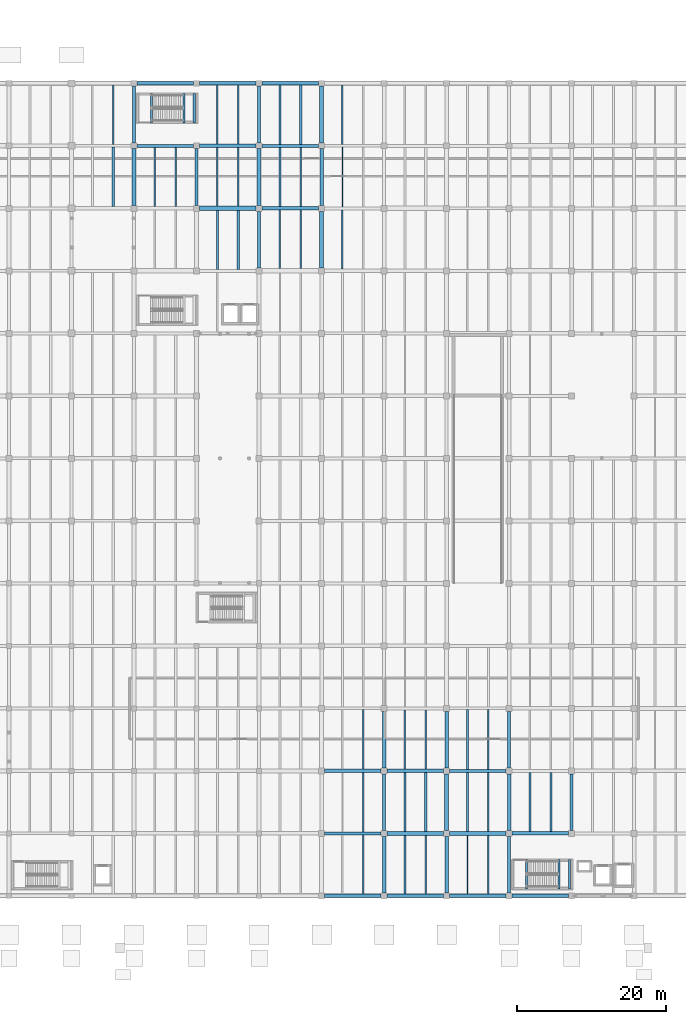
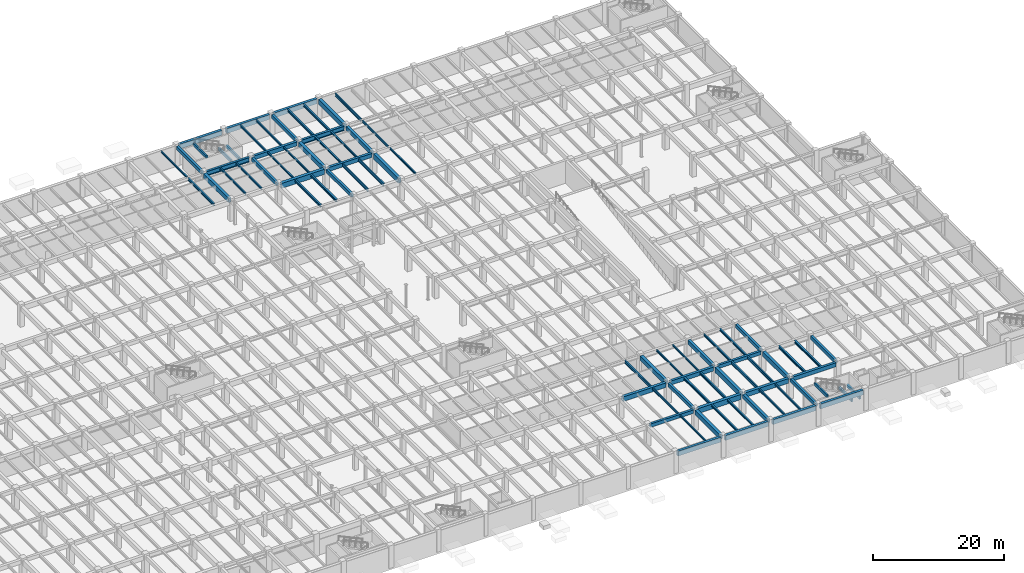
# One storey, part 22 of 63: 80 beams.
"""IFC4 building model written with IfcOpenShell, lengths in metres."""

from ifc_helpers import new_model, si_unit, direction, frame, origin, origin_2d, place, context, subcontext, project, spatial, rectangle, i_section, extrude, material, material_profile, profile_set, type_object, element, save


model = new_model("IFC4")

# Units and contexts
model_context = context("Model", 3, precision=1e-05, world=origin(), true_north=direction((0.0, 1.0)))
body_context = subcontext(model_context, "Body", "Model", "MODEL_VIEW")
ifc_project = project(units=[si_unit("LENGTHUNIT", "METRE"), si_unit("AREAUNIT", "SQUARE_METRE"), si_unit("VOLUMEUNIT", "CUBIC_METRE"), si_unit("PLANEANGLEUNIT", "RADIAN"), si_unit("MASSUNIT", "GRAM", prefix="KILO")], contexts=[model_context])

# Site, building, storey
site_placement = place(None, origin())
site = spatial("IfcSite", under=ifc_project, at=site_placement, CompositionType="ELEMENT")
building_placement = place(site_placement, origin())
building = spatial("IfcBuilding", under=site, at=building_placement, Name="Cumbredor Promenade Congress Hotel", CompositionType="ELEMENT")
storey_placement = place(building_placement, frame((0.0, 0.0, -4.199951171875)))
storey = spatial("IfcBuildingStorey", under=building, at=storey_placement, Name="B01", CompositionType="ELEMENT", Elevation=-4.199951171875)

# Beams
ifc_material_1 = material(Name="Concrete C40/50", Category="concrete")
ifc_material_profile_1 = material_profile(ifc_material_1, rectangle(XDim=0.39990234375, YDim=0.64990234375, at=origin_2d()), Name="RC BEAM 400x650")
ifc_profile_set_1 = profile_set([ifc_material_profile_1], Name="Concrete C40/50")
beam_type_1 = type_object("IfcBeamType", Name="BM-RC-400x650", PredefinedType="BEAM", material=ifc_profile_set_1)
beam_1_placement = place(storey_placement, frame((92.39990234375, 109.60009765625, 3.52490234375), z_axis=(0.0, 1.0, 0.0), x_axis=(-1.0, 0.0, 0.0)))
element("IfcBeam", 1, at=beam_1_placement, inside=storey, type_object=beam_type_1, Name="L00 Y-Grid Beam 279", PredefinedType="BEAM", context=body_context, shape_type="SweptSolid", body=[
    extrude(rectangle(XDim=0.39990234375, YDim=0.64990234375, at=origin_2d()), origin(), (0.0, 0.0, 1.0), 7.599853515625),
])
beam_2_placement = place(storey_placement, frame((100.800048828125, 101.199951171875, 3.52490234375), z_axis=(0.0, 1.0, 0.0), x_axis=(-1.0, 0.0, 0.0)))
element("IfcBeam", 2, at=beam_2_placement, inside=storey, type_object=beam_type_1, Name="L00 Y-Grid Beam 299", PredefinedType="BEAM", context=body_context, shape_type="SweptSolid", body=[
    extrude(rectangle(XDim=0.39990234375, YDim=0.64990234375, at=origin_2d()), origin(), (0.0, 0.0, 1.0), 7.60009765625),
])
for number, where, z_axis, x_axis, name in (
    (3, (109.199951171875, 92.800048828125, 3.52490234375), (0.0, 1.0, 0.0), (-1.0, 0.0, 0.0), "L00 Y-Grid Beam 323"),
    (4, (109.199951171875, 109.60009765625, 3.52490234375), (0.0, 1.0, 0.0), (-1.0, 0.0, 0.0), "L00 Y-Grid Beam 327"),
):
    element("IfcBeam", number, at=place(storey_placement, frame(where, z_axis=z_axis, x_axis=x_axis)), inside=storey, type_object=beam_type_1, Name=name, PredefinedType="BEAM", context=body_context, shape_type="SweptSolid", body=[
        extrude(rectangle(XDim=0.39990234375, YDim=0.64990234375, at=origin_2d()), origin(), (0.0, 0.0, 1.0), 7.599853515625),
    ])
for number, where, z_axis, x_axis, name in (
    (5, (118.0, 16.800048828125, 3.52490234375), (1.0, 0.0, 0.0), (0.0, 1.0, 0.0), "L00 X-Grid Beam 331"),
    (6, (126.0, 17.199951171875, 3.52490234375), (0.0, 1.0, 0.0), (-1.0, 0.0, 0.0), "L00 Y-Grid Beam 359"),
):
    element("IfcBeam", number, at=place(storey_placement, frame(where, z_axis=z_axis, x_axis=x_axis)), inside=storey, type_object=beam_type_1, Name=name, PredefinedType="BEAM", context=body_context, shape_type="SweptSolid", body=[
        extrude(rectangle(XDim=0.39990234375, YDim=0.64990234375, at=origin_2d()), origin(), (0.0, 0.0, 1.0), 7.60009765625),
    ])
for number, where, z_axis, x_axis, name in (
    (7, (134.800048828125, 25.199951171875, 3.52490234375), (1.0, 0.0, 0.0), (0.0, 1.0, 0.0), "L00 X-Grid Beam 387"),
    (8, (142.800048828125, 8.800048828125, 3.52490234375), (0.0, 1.0, 0.0), (-1.0, 0.0, 0.0), "L00 Y-Grid Beam 407"),
    (9, (142.800048828125, 25.60009765625, 3.52490234375), (0.0, 1.0, 0.0), (-1.0, 0.0, 0.0), "L00 Y-Grid Beam 411"),
):
    element("IfcBeam", number, at=place(storey_placement, frame(where, z_axis=z_axis, x_axis=x_axis)), inside=storey, type_object=beam_type_1, Name=name, PredefinedType="BEAM", context=body_context, shape_type="SweptSolid", body=[
        extrude(rectangle(XDim=0.39990234375, YDim=0.64990234375, at=origin_2d()), origin(), (0.0, 0.0, 1.0), 7.599853515625),
    ])
beam_3_placement = place(storey_placement, frame((151.199951171875, 17.199951171875, 3.52490234375), z_axis=(0.0, 1.0, 0.0), x_axis=(-1.0, 0.0, 0.0)))
element("IfcBeam", 10, at=beam_3_placement, inside=storey, type_object=beam_type_1, Name="L00 Y-Grid Beam 435", PredefinedType="BEAM", context=body_context, shape_type="SweptSolid", body=[
    extrude(rectangle(XDim=0.39990234375, YDim=0.64990234375, at=origin_2d()), origin(), (0.0, 0.0, 1.0), 7.60009765625),
])
ifc_material_profile_2 = material_profile(ifc_material_1, rectangle(XDim=0.449951171875, YDim=0.75, at=origin_2d()), Name="RC BEAM 450x750")
ifc_profile_set_2 = profile_set([ifc_material_profile_2], Name="Concrete C40/50")
beam_type_2 = type_object("IfcBeamType", Name="BM-RC-450x750", PredefinedType="BEAM", material=ifc_profile_set_2)
beam_4_placement = place(storey_placement, frame((101.199951171875, 109.199951171875, 3.474853515625), z_axis=(1.0, 0.0, 0.0), x_axis=(0.0, 1.0, 0.0)))
element("IfcBeam", 11, at=beam_4_placement, inside=storey, type_object=beam_type_2, Name="L00 X-Grid Beam 300", PredefinedType="BEAM", context=body_context, shape_type="SweptSolid", body=[
    extrude(rectangle(XDim=0.449951171875, YDim=0.75, at=origin_2d()), origin(), (0.0, 0.0, 1.0), 7.60009765625),
])
beam_5_placement = place(storey_placement, frame((109.60009765625, 100.800048828125, 3.474853515625), z_axis=(1.0, 0.0, 0.0), x_axis=(0.0, 1.0, 0.0)))
element("IfcBeam", 12, at=beam_5_placement, inside=storey, type_object=beam_type_2, Name="L00 X-Grid Beam 324", PredefinedType="BEAM", context=body_context, shape_type="SweptSolid", body=[
    extrude(rectangle(XDim=0.449951171875, YDim=0.75, at=origin_2d()), origin(), (0.0, 0.0, 1.0), 7.599853515625),
])
for number, where, z_axis, x_axis, name in (
    (13, (117.60009765625, 101.199951171875, 3.474853515625), (0.0, 1.0, 0.0), (-1.0, 0.0, 0.0), "L00 Y-Grid Beam 352"),
    (14, (126.39990234375, 25.199951171875, 3.474853515625), (1.0, 0.0, 0.0), (0.0, 1.0, 0.0), "L00 X-Grid Beam 360"),
):
    element("IfcBeam", number, at=place(storey_placement, frame(where, z_axis=z_axis, x_axis=x_axis)), inside=storey, type_object=beam_type_2, Name=name, PredefinedType="BEAM", context=body_context, shape_type="SweptSolid", body=[
        extrude(rectangle(XDim=0.449951171875, YDim=0.75, at=origin_2d()), origin(), (0.0, 0.0, 1.0), 7.60009765625),
    ])
for number, where, z_axis, x_axis, name in (
    (15, (134.39990234375, 8.800048828125, 3.474853515625), (0.0, 1.0, 0.0), (-1.0, 0.0, 0.0), "L00 Y-Grid Beam 384"),
    (16, (134.39990234375, 25.60009765625, 3.474853515625), (0.0, 1.0, 0.0), (-1.0, 0.0, 0.0), "L00 Y-Grid Beam 388"),
):
    element("IfcBeam", number, at=place(storey_placement, frame(where, z_axis=z_axis, x_axis=x_axis)), inside=storey, type_object=beam_type_2, Name=name, PredefinedType="BEAM", context=body_context, shape_type="SweptSolid", body=[
        extrude(rectangle(XDim=0.449951171875, YDim=0.75, at=origin_2d()), origin(), (0.0, 0.0, 1.0), 7.599853515625),
    ])
beam_6_placement = place(storey_placement, frame((143.199951171875, 16.800048828125, 3.474853515625), z_axis=(1.0, 0.0, 0.0), x_axis=(0.0, 1.0, 0.0)))
element("IfcBeam", 17, at=beam_6_placement, inside=storey, type_object=beam_type_2, Name="L00 X-Grid Beam 408", PredefinedType="BEAM", context=body_context, shape_type="SweptSolid", body=[
    extrude(rectangle(XDim=0.449951171875, YDim=0.75, at=origin_2d()), origin(), (0.0, 0.0, 1.0), 7.60009765625),
])
ifc_material_profile_3 = material_profile(ifc_material_1, rectangle(XDim=0.5, YDim=0.85009765625, at=origin_2d()), Name="RC BEAM 500x850")
ifc_profile_set_3 = profile_set([ifc_material_profile_3], Name="Concrete C40/50")
beam_type_3 = type_object("IfcBeamType", Name="BM-RC-500x850", PredefinedType="BEAM", material=ifc_profile_set_3)
for number, where, z_axis, x_axis, name in (
    (18, (92.39990234375, 101.199951171875, 3.425048828125), (0.0, 1.0, 0.0), (-1.0, 0.0, 0.0), "L00 Y-Grid Beam 277"),
    (19, (109.199951171875, 101.199951171875, 3.425048828125), (0.0, 1.0, 0.0), (-1.0, 0.0, 0.0), "L00 Y-Grid Beam 325"),
    (20, (118.0, 25.199951171875, 3.425048828125), (1.0, 0.0, 0.0), (0.0, 1.0, 0.0), "L00 X-Grid Beam 333"),
):
    element("IfcBeam", number, at=place(storey_placement, frame(where, z_axis=z_axis, x_axis=x_axis)), inside=storey, type_object=beam_type_3, Name=name, PredefinedType="BEAM", context=body_context, shape_type="SweptSolid", body=[
        extrude(rectangle(XDim=0.5, YDim=0.85009765625, at=origin_2d()), origin(), (0.0, 0.0, 1.0), 7.60009765625),
    ])
for number, where, z_axis, x_axis, name in (
    (21, (126.0, 8.800048828125, 3.425048828125), (0.0, 1.0, 0.0), (-1.0, 0.0, 0.0), "L00 Y-Grid Beam 357"),
    (22, (126.0, 25.60009765625, 3.425048828125), (0.0, 1.0, 0.0), (-1.0, 0.0, 0.0), "L00 Y-Grid Beam 361"),
    (23, (134.800048828125, 16.800048828125, 3.425048828125), (1.0, 0.0, 0.0), (0.0, 1.0, 0.0), "L00 X-Grid Beam 385"),
):
    element("IfcBeam", number, at=place(storey_placement, frame(where, z_axis=z_axis, x_axis=x_axis)), inside=storey, type_object=beam_type_3, Name=name, PredefinedType="BEAM", context=body_context, shape_type="SweptSolid", body=[
        extrude(rectangle(XDim=0.5, YDim=0.85009765625, at=origin_2d()), origin(), (0.0, 0.0, 1.0), 7.599853515625),
    ])
beam_7_placement = place(storey_placement, frame((142.800048828125, 17.199951171875, 3.425048828125), z_axis=(0.0, 1.0, 0.0), x_axis=(-1.0, 0.0, 0.0)))
element("IfcBeam", 24, at=beam_7_placement, inside=storey, type_object=beam_type_3, Name="L00 Y-Grid Beam 409", PredefinedType="BEAM", context=body_context, shape_type="SweptSolid", body=[
    extrude(rectangle(XDim=0.5, YDim=0.85009765625, at=origin_2d()), origin(), (0.0, 0.0, 1.0), 7.60009765625),
])
ifc_material_profile_4 = material_profile(ifc_material_1, rectangle(XDim=0.550048828125, YDim=0.949951171875, at=origin_2d()), Name="RC BEAM 550x950")
ifc_profile_set_4 = profile_set([ifc_material_profile_4], Name="Concrete C40/50")
beam_type_4 = type_object("IfcBeamType", Name="BM-RC-550x950", PredefinedType="BEAM", material=ifc_profile_set_4)
beam_8_placement = place(storey_placement, frame((101.199951171875, 100.800048828125, 3.375), z_axis=(1.0, 0.0, 0.0), x_axis=(0.0, 1.0, 0.0)))
element("IfcBeam", 25, at=beam_8_placement, inside=storey, type_object=beam_type_4, Name="L00 X-Grid Beam 298", PredefinedType="BEAM", context=body_context, shape_type="SweptSolid", body=[
    extrude(rectangle(XDim=0.550048828125, YDim=0.949951171875, at=origin_2d()), origin(), (0.0, 0.0, 1.0), 7.60009765625),
])
for number, where, z_axis, x_axis, name in (
    (26, (117.60009765625, 92.800048828125, 3.375), (0.0, 1.0, 0.0), (-1.0, 0.0, 0.0), "L00 Y-Grid Beam 350"),
    (27, (117.60009765625, 109.60009765625, 3.375), (0.0, 1.0, 0.0), (-1.0, 0.0, 0.0), "L00 Y-Grid Beam 354"),
):
    element("IfcBeam", number, at=place(storey_placement, frame(where, z_axis=z_axis, x_axis=x_axis)), inside=storey, type_object=beam_type_4, Name=name, PredefinedType="BEAM", context=body_context, shape_type="SweptSolid", body=[
        extrude(rectangle(XDim=0.550048828125, YDim=0.949951171875, at=origin_2d()), origin(), (0.0, 0.0, 1.0), 7.599853515625),
    ])
for number, where, z_axis, x_axis, name in (
    (28, (126.39990234375, 16.800048828125, 3.375), (1.0, 0.0, 0.0), (0.0, 1.0, 0.0), "L00 X-Grid Beam 358"),
    (29, (134.39990234375, 17.199951171875, 3.375), (0.0, 1.0, 0.0), (-1.0, 0.0, 0.0), "L00 Y-Grid Beam 386"),
):
    element("IfcBeam", number, at=place(storey_placement, frame(where, z_axis=z_axis, x_axis=x_axis)), inside=storey, type_object=beam_type_4, Name=name, PredefinedType="BEAM", context=body_context, shape_type="SweptSolid", body=[
        extrude(rectangle(XDim=0.550048828125, YDim=0.949951171875, at=origin_2d()), origin(), (0.0, 0.0, 1.0), 7.60009765625),
    ])
ifc_material_2 = material(Name="Steel ASTM A992 Grade 50", Category="steel")
ifc_material_profile_5 = material_profile(ifc_material_2, i_section(OverallWidth=0.39990234375, OverallDepth=0.85498046875, WebThickness=0.018310546875, FlangeThickness=0.029296875, at=origin_2d()), Name="W33X201")
ifc_profile_set_5 = profile_set([ifc_material_profile_5], Name="Steel ASTM A992 Grade 50")
beam_type_5 = type_object("IfcBeamType", Name="BM-W33X201", PredefinedType="BEAM", material=ifc_profile_set_5)
for number, where, z_axis, x_axis, name in (
    (30, (92.800048828125, 109.199951171875, 3.42236328125), (1.0, 0.0, 0.0), (0.0, 1.0, 0.0), "L00 X-Grid Beam 278"),
    (31, (109.60009765625, 109.199951171875, 3.42236328125), (1.0, 0.0, 0.0), (0.0, 1.0, 0.0), "L00 X-Grid Beam 326"),
):
    element("IfcBeam", number, at=place(storey_placement, frame(where, z_axis=z_axis, x_axis=x_axis)), inside=storey, type_object=beam_type_5, Name=name, PredefinedType="BEAM", context=body_context, shape_type="SweptSolid", body=[
        extrude(i_section(OverallWidth=0.39990234375, OverallDepth=0.85498046875, WebThickness=0.018310546875, FlangeThickness=0.029296875, at=origin_2d()), origin(), (0.0, 0.0, 1.0), 7.599853515625),
    ])
ifc_material_profile_6 = material_profile(ifc_material_2, i_section(OverallWidth=0.202880859375, OverallDepth=0.302978515625, WebThickness=0.007568359375, FlangeThickness=0.01318359375, at=origin_2d()), Name="W12X40")
ifc_profile_set_6 = profile_set([ifc_material_profile_6], Name="Steel ASTM A992 Grade 50")
beam_type_6 = type_object("IfcBeamType", Name="JST-W12X40", PredefinedType="JOIST", material=ifc_profile_set_6)
beam_9_placement = place(storey_placement, frame((89.60009765625, 109.362060546875, 3.698486328125), z_axis=(0.0, 1.0, 0.0), x_axis=(-1.0, 0.0, 0.0)))
element("IfcBeam", 32, at=beam_9_placement, inside=storey, type_object=beam_type_6, Name="L00 Secondary Floor Joist 0215", PredefinedType="JOIST", context=body_context, shape_type="SweptSolid", body=[
    extrude(i_section(OverallWidth=0.202880859375, OverallDepth=0.302978515625, WebThickness=0.007568359375, FlangeThickness=0.01318359375, at=origin_2d()), origin(), (0.0, 0.0, 1.0), 8.012939453125),
])
for number, where, z_axis, x_axis, name in (
    (33, (103.60009765625, 101.074951171875, 3.698486328125), (0.0, 1.0, 0.0), (-1.0, 0.0, 0.0), "L00 Secondary Floor Joist 0249"),
    (34, (106.39990234375, 101.074951171875, 3.698486328125), (0.0, 1.0, 0.0), (-1.0, 0.0, 0.0), "L00 Secondary Floor Joist 0250"),
):
    element("IfcBeam", number, at=place(storey_placement, frame(where, z_axis=z_axis, x_axis=x_axis)), inside=storey, type_object=beam_type_6, Name=name, PredefinedType="JOIST", context=body_context, shape_type="SweptSolid", body=[
        extrude(i_section(OverallWidth=0.202880859375, OverallDepth=0.302978515625, WebThickness=0.007568359375, FlangeThickness=0.01318359375, at=origin_2d()), origin(), (0.0, 0.0, 1.0), 7.900146484375),
    ])
beam_10_placement = place(storey_placement, frame((123.199951171875, 8.625, 3.698486328125), z_axis=(0.0, 1.0, 0.0), x_axis=(-1.0, 0.0, 0.0)))
element("IfcBeam", 35, at=beam_10_placement, inside=storey, type_object=beam_type_6, Name="L00 Secondary Floor Joist 0280", PredefinedType="JOIST", context=body_context, shape_type="SweptSolid", body=[
    extrude(i_section(OverallWidth=0.202880859375, OverallDepth=0.302978515625, WebThickness=0.007568359375, FlangeThickness=0.01318359375, at=origin_2d()), origin(), (0.0, 0.0, 1.0), 7.97509765625),
])
beam_11_placement = place(storey_placement, frame((120.39990234375, 92.64990234375, 3.698486328125), z_axis=(0.0, 1.0, 0.0), x_axis=(-1.0, 0.0, 0.0)))
element("IfcBeam", 36, at=beam_11_placement, inside=storey, type_object=beam_type_6, Name="L00 Secondary Floor Joist 0299", PredefinedType="JOIST", context=body_context, shape_type="SweptSolid", body=[
    extrude(i_section(OverallWidth=0.202880859375, OverallDepth=0.302978515625, WebThickness=0.007568359375, FlangeThickness=0.01318359375, at=origin_2d()), origin(), (0.0, 0.0, 1.0), 7.9501953125),
])
for number, where, z_axis, x_axis, name in (
    (37, (128.800048828125, 25.425048828125, 3.698486328125), (0.0, 1.0, 0.0), (-1.0, 0.0, 0.0), "L00 Secondary Floor Joist 0309"),
    (38, (131.60009765625, 25.425048828125, 3.698486328125), (0.0, 1.0, 0.0), (-1.0, 0.0, 0.0), "L00 Secondary Floor Joist 0310"),
):
    element("IfcBeam", number, at=place(storey_placement, frame(where, z_axis=z_axis, x_axis=x_axis)), inside=storey, type_object=beam_type_6, Name=name, PredefinedType="JOIST", context=body_context, shape_type="SweptSolid", body=[
        extrude(i_section(OverallWidth=0.202880859375, OverallDepth=0.302978515625, WebThickness=0.007568359375, FlangeThickness=0.01318359375, at=origin_2d()), origin(), (0.0, 0.0, 1.0), 7.974853515625),
    ])
ifc_material_profile_7 = material_profile(ifc_material_2, i_section(OverallWidth=0.2548828125, OverallDepth=0.35693359375, WebThickness=0.010498046875, FlangeThickness=0.018310546875, at=origin_2d()), Name="W14X68")
ifc_profile_set_7 = profile_set([ifc_material_profile_7], Name="Steel ASTM A992 Grade 50")
beam_type_7 = type_object("IfcBeamType", Name="JST-W14X68", PredefinedType="JOIST", material=ifc_profile_set_7)
for number, where, z_axis, x_axis, name in (
    (39, (112.0, 101.02490234375, 3.67138671875), (0.0, 1.0, 0.0), (-1.0, 0.0, 0.0), "L00 Secondary Floor Joist 0275"),
    (40, (114.800048828125, 101.02490234375, 3.67138671875), (0.0, 1.0, 0.0), (-1.0, 0.0, 0.0), "L00 Secondary Floor Joist 0276"),
):
    element("IfcBeam", number, at=place(storey_placement, frame(where, z_axis=z_axis, x_axis=x_axis)), inside=storey, type_object=beam_type_7, Name=name, PredefinedType="JOIST", context=body_context, shape_type="SweptSolid", body=[
        extrude(i_section(OverallWidth=0.2548828125, OverallDepth=0.35693359375, WebThickness=0.010498046875, FlangeThickness=0.018310546875, at=origin_2d()), origin(), (0.0, 0.0, 1.0), 7.97509765625),
    ])
for number, where, z_axis, x_axis, name in (
    (41, (128.800048828125, 8.625, 3.67138671875), (0.0, 1.0, 0.0), (-1.0, 0.0, 0.0), "L00 Secondary Floor Joist 0305"),
    (42, (131.60009765625, 8.625, 3.67138671875), (0.0, 1.0, 0.0), (-1.0, 0.0, 0.0), "L00 Secondary Floor Joist 0306"),
):
    element("IfcBeam", number, at=place(storey_placement, frame(where, z_axis=z_axis, x_axis=x_axis)), inside=storey, type_object=beam_type_7, Name=name, PredefinedType="JOIST", context=body_context, shape_type="SweptSolid", body=[
        extrude(i_section(OverallWidth=0.2548828125, OverallDepth=0.35693359375, WebThickness=0.010498046875, FlangeThickness=0.018310546875, at=origin_2d()), origin(), (0.0, 0.0, 1.0), 7.89990234375),
    ])
for number, where, z_axis, x_axis, name in (
    (43, (137.199951171875, 25.39990234375, 3.67138671875), (0.0, 1.0, 0.0), (-1.0, 0.0, 0.0), "L00 Secondary Floor Joist 0335"),
    (44, (140.0, 25.39990234375, 3.67138671875), (0.0, 1.0, 0.0), (-1.0, 0.0, 0.0), "L00 Secondary Floor Joist 0336"),
):
    element("IfcBeam", number, at=place(storey_placement, frame(where, z_axis=z_axis, x_axis=x_axis)), inside=storey, type_object=beam_type_7, Name=name, PredefinedType="JOIST", context=body_context, shape_type="SweptSolid", body=[
        extrude(i_section(OverallWidth=0.2548828125, OverallDepth=0.35693359375, WebThickness=0.010498046875, FlangeThickness=0.018310546875, at=origin_2d()), origin(), (0.0, 0.0, 1.0), 8.0380859375),
    ])
ifc_material_profile_8 = material_profile(ifc_material_2, i_section(OverallWidth=0.180908203125, OverallDepth=0.4169921875, WebThickness=0.010986328125, FlangeThickness=0.018310546875, at=origin_2d()), Name="W16X57")
ifc_profile_set_8 = profile_set([ifc_material_profile_8], Name="Steel ASTM A992 Grade 50")
beam_type_8 = type_object("IfcBeamType", Name="JST-W16X57", PredefinedType="JOIST", material=ifc_profile_set_8)
for number, where, z_axis, x_axis, name in (
    (45, (95.199951171875, 101.02490234375, 3.641357421875), (0.0, 1.0, 0.0), (-1.0, 0.0, 0.0), "L00 Secondary Floor Joist 0236"),
    (46, (98.0, 101.02490234375, 3.641357421875), (0.0, 1.0, 0.0), (-1.0, 0.0, 0.0), "L00 Secondary Floor Joist 0237"),
):
    element("IfcBeam", number, at=place(storey_placement, frame(where, z_axis=z_axis, x_axis=x_axis)), inside=storey, type_object=beam_type_8, Name=name, PredefinedType="JOIST", context=body_context, shape_type="SweptSolid", body=[
        extrude(i_section(OverallWidth=0.180908203125, OverallDepth=0.4169921875, WebThickness=0.010986328125, FlangeThickness=0.018310546875, at=origin_2d()), origin(), (0.0, 0.0, 1.0), 7.97509765625),
    ])
for number, where, z_axis, x_axis, name in (
    (47, (103.60009765625, 109.425048828125, 3.641357421875), (0.0, 1.0, 0.0), (-1.0, 0.0, 0.0), "L00 Secondary Floor Joist 0251"),
    (48, (106.39990234375, 109.425048828125, 3.641357421875), (0.0, 1.0, 0.0), (-1.0, 0.0, 0.0), "L00 Secondary Floor Joist 0252"),
    (49, (123.199951171875, 17.0, 3.641357421875), (0.0, 1.0, 0.0), (-1.0, 0.0, 0.0), "L00 Secondary Floor Joist 0282"),
):
    element("IfcBeam", number, at=place(storey_placement, frame(where, z_axis=z_axis, x_axis=x_axis)), inside=storey, type_object=beam_type_8, Name=name, PredefinedType="JOIST", context=body_context, shape_type="SweptSolid", body=[
        extrude(i_section(OverallWidth=0.180908203125, OverallDepth=0.4169921875, WebThickness=0.010986328125, FlangeThickness=0.018310546875, at=origin_2d()), origin(), (0.0, 0.0, 1.0), 7.949951171875),
    ])
beam_12_placement = place(storey_placement, frame((120.39990234375, 101.0, 3.641357421875), z_axis=(0.0, 1.0, 0.0), x_axis=(-1.0, 0.0, 0.0)))
element("IfcBeam", 50, at=beam_12_placement, inside=storey, type_object=beam_type_8, Name="L00 Secondary Floor Joist 0301", PredefinedType="JOIST", context=body_context, shape_type="SweptSolid", body=[
    extrude(i_section(OverallWidth=0.180908203125, OverallDepth=0.4169921875, WebThickness=0.010986328125, FlangeThickness=0.018310546875, at=origin_2d()), origin(), (0.0, 0.0, 1.0), 8.0380859375),
])
for number, where, z_axis, x_axis, name in (
    (51, (137.199951171875, 8.625, 3.641357421875), (0.0, 1.0, 0.0), (-1.0, 0.0, 0.0), "L00 Secondary Floor Joist 0331"),
    (52, (140.0, 8.625, 3.641357421875), (0.0, 1.0, 0.0), (-1.0, 0.0, 0.0), "L00 Secondary Floor Joist 0332"),
):
    element("IfcBeam", number, at=place(storey_placement, frame(where, z_axis=z_axis, x_axis=x_axis)), inside=storey, type_object=beam_type_8, Name=name, PredefinedType="JOIST", context=body_context, shape_type="SweptSolid", body=[
        extrude(i_section(OverallWidth=0.180908203125, OverallDepth=0.4169921875, WebThickness=0.010986328125, FlangeThickness=0.018310546875, at=origin_2d()), origin(), (0.0, 0.0, 1.0), 7.925048828125),
    ])
ifc_material_profile_9 = material_profile(ifc_material_2, i_section(OverallWidth=0.280029296875, OverallDepth=0.462890625, WebThickness=0.0107421875, FlangeThickness=0.017333984375, at=origin_2d()), Name="W18X76")
ifc_profile_set_9 = profile_set([ifc_material_profile_9], Name="Steel ASTM A992 Grade 50")
beam_type_9 = type_object("IfcBeamType", Name="JST-W18X76", PredefinedType="JOIST", material=ifc_profile_set_9)
beam_13_placement = place(storey_placement, frame((89.60009765625, 101.050048828125, 3.618408203125), z_axis=(0.0, 1.0, 0.0), x_axis=(-1.0, 0.0, 0.0)))
element("IfcBeam", 53, at=beam_13_placement, inside=storey, type_object=beam_type_9, Name="L00 Secondary Floor Joist 0213", PredefinedType="JOIST", context=body_context, shape_type="SweptSolid", body=[
    extrude(i_section(OverallWidth=0.280029296875, OverallDepth=0.462890625, WebThickness=0.0107421875, FlangeThickness=0.017333984375, at=origin_2d()), origin(), (0.0, 0.0, 1.0), 7.988037109375),
])
for number, where, z_axis, x_axis, name in (
    (54, (103.60009765625, 92.60009765625, 3.618408203125), (0.0, 1.0, 0.0), (-1.0, 0.0, 0.0), "L00 Secondary Floor Joist 0247"),
    (55, (106.39990234375, 92.60009765625, 3.618408203125), (0.0, 1.0, 0.0), (-1.0, 0.0, 0.0), "L00 Secondary Floor Joist 0248"),
):
    element("IfcBeam", number, at=place(storey_placement, frame(where, z_axis=z_axis, x_axis=x_axis)), inside=storey, type_object=beam_type_9, Name=name, PredefinedType="JOIST", context=body_context, shape_type="SweptSolid", body=[
        extrude(i_section(OverallWidth=0.280029296875, OverallDepth=0.462890625, WebThickness=0.0107421875, FlangeThickness=0.017333984375, at=origin_2d()), origin(), (0.0, 0.0, 1.0), 7.9248046875),
    ])
for number, where, z_axis, x_axis, name in (
    (56, (112.0, 109.39990234375, 3.618408203125), (0.0, 1.0, 0.0), (-1.0, 0.0, 0.0), "L00 Secondary Floor Joist 0277"),
    (57, (114.800048828125, 109.39990234375, 3.618408203125), (0.0, 1.0, 0.0), (-1.0, 0.0, 0.0), "L00 Secondary Floor Joist 0278"),
):
    element("IfcBeam", number, at=place(storey_placement, frame(where, z_axis=z_axis, x_axis=x_axis)), inside=storey, type_object=beam_type_9, Name=name, PredefinedType="JOIST", context=body_context, shape_type="SweptSolid", body=[
        extrude(i_section(OverallWidth=0.280029296875, OverallDepth=0.462890625, WebThickness=0.0107421875, FlangeThickness=0.017333984375, at=origin_2d()), origin(), (0.0, 0.0, 1.0), 7.97509765625),
    ])
for number, where, z_axis, x_axis, name in (
    (58, (128.800048828125, 17.074951171875, 3.618408203125), (0.0, 1.0, 0.0), (-1.0, 0.0, 0.0), "L00 Secondary Floor Joist 0307"),
    (59, (131.60009765625, 17.074951171875, 3.618408203125), (0.0, 1.0, 0.0), (-1.0, 0.0, 0.0), "L00 Secondary Floor Joist 0308"),
):
    element("IfcBeam", number, at=place(storey_placement, frame(where, z_axis=z_axis, x_axis=x_axis)), inside=storey, type_object=beam_type_9, Name=name, PredefinedType="JOIST", context=body_context, shape_type="SweptSolid", body=[
        extrude(i_section(OverallWidth=0.280029296875, OverallDepth=0.462890625, WebThickness=0.0107421875, FlangeThickness=0.017333984375, at=origin_2d()), origin(), (0.0, 0.0, 1.0), 7.900146484375),
    ])
for number, where, z_axis, x_axis, name in (
    (60, (145.60009765625, 17.02490234375, 3.618408203125), (0.0, 1.0, 0.0), (-1.0, 0.0, 0.0), "L00 Secondary Floor Joist 0347"),
    (61, (148.39990234375, 17.02490234375, 3.618408203125), (0.0, 1.0, 0.0), (-1.0, 0.0, 0.0), "L00 Secondary Floor Joist 0348"),
):
    element("IfcBeam", number, at=place(storey_placement, frame(where, z_axis=z_axis, x_axis=x_axis)), inside=storey, type_object=beam_type_9, Name=name, PredefinedType="JOIST", context=body_context, shape_type="SweptSolid", body=[
        extrude(i_section(OverallWidth=0.280029296875, OverallDepth=0.462890625, WebThickness=0.0107421875, FlangeThickness=0.017333984375, at=origin_2d()), origin(), (0.0, 0.0, 1.0), 7.97509765625),
    ])
ifc_material_profile_10 = material_profile(ifc_material_2, i_section(OverallWidth=0.214111328125, OverallDepth=0.549072265625, WebThickness=0.0146484375, FlangeThickness=0.023681640625, at=origin_2d()), Name="W21X93")
ifc_profile_set_10 = profile_set([ifc_material_profile_10], Name="Steel ASTM A992 Grade 50")
beam_type_10 = type_object("IfcBeamType", Name="JST-W21X93", PredefinedType="JOIST", material=ifc_profile_set_10)
for number, where, z_axis, x_axis, name in (
    (62, (112.0, 92.675048828125, 3.575439453125), (0.0, 1.0, 0.0), (-1.0, 0.0, 0.0), "L00 Secondary Floor Joist 0273"),
    (63, (114.800048828125, 92.675048828125, 3.575439453125), (0.0, 1.0, 0.0), (-1.0, 0.0, 0.0), "L00 Secondary Floor Joist 0274"),
):
    element("IfcBeam", number, at=place(storey_placement, frame(where, z_axis=z_axis, x_axis=x_axis)), inside=storey, type_object=beam_type_10, Name=name, PredefinedType="JOIST", context=body_context, shape_type="SweptSolid", body=[
        extrude(i_section(OverallWidth=0.214111328125, OverallDepth=0.549072265625, WebThickness=0.0146484375, FlangeThickness=0.023681640625, at=origin_2d()), origin(), (0.0, 0.0, 1.0), 7.89990234375),
    ])
beam_14_placement = place(storey_placement, frame((123.199951171875, 25.449951171875, 3.575439453125), z_axis=(0.0, 1.0, 0.0), x_axis=(-1.0, 0.0, 0.0)))
element("IfcBeam", 64, at=beam_14_placement, inside=storey, type_object=beam_type_10, Name="L00 Secondary Floor Joist 0284", PredefinedType="JOIST", context=body_context, shape_type="SweptSolid", body=[
    extrude(i_section(OverallWidth=0.214111328125, OverallDepth=0.549072265625, WebThickness=0.0146484375, FlangeThickness=0.023681640625, at=origin_2d()), origin(), (0.0, 0.0, 1.0), 7.988037109375),
])
beam_15_placement = place(storey_placement, frame((120.39990234375, 109.362060546875, 3.575439453125), z_axis=(0.0, 1.0, 0.0), x_axis=(-1.0, 0.0, 0.0)))
element("IfcBeam", 65, at=beam_15_placement, inside=storey, type_object=beam_type_10, Name="L00 Secondary Floor Joist 0303", PredefinedType="JOIST", context=body_context, shape_type="SweptSolid", body=[
    extrude(i_section(OverallWidth=0.214111328125, OverallDepth=0.549072265625, WebThickness=0.0146484375, FlangeThickness=0.023681640625, at=origin_2d()), origin(), (0.0, 0.0, 1.0), 8.012939453125),
])
for number, where, z_axis, x_axis, name in (
    (66, (137.199951171875, 17.050048828125, 3.575439453125), (0.0, 1.0, 0.0), (-1.0, 0.0, 0.0), "L00 Secondary Floor Joist 0333"),
    (67, (140.0, 17.050048828125, 3.575439453125), (0.0, 1.0, 0.0), (-1.0, 0.0, 0.0), "L00 Secondary Floor Joist 0334"),
):
    element("IfcBeam", number, at=place(storey_placement, frame(where, z_axis=z_axis, x_axis=x_axis)), inside=storey, type_object=beam_type_10, Name=name, PredefinedType="JOIST", context=body_context, shape_type="SweptSolid", body=[
        extrude(i_section(OverallWidth=0.214111328125, OverallDepth=0.549072265625, WebThickness=0.0146484375, FlangeThickness=0.023681640625, at=origin_2d()), origin(), (0.0, 0.0, 1.0), 7.949951171875),
    ])
ifc_material_profile_11 = material_profile(ifc_material_1, rectangle(XDim=0.300048828125, YDim=0.5, at=origin_2d()), Name="RC LINTEL 300x500")
ifc_profile_set_11 = profile_set([ifc_material_profile_11], Name="Concrete C40/50")
beam_type_11 = type_object("IfcBeamType", Name="LN-RC-300x500", PredefinedType="LINTEL", material=ifc_profile_set_11)
for number, where, z_axis, x_axis, name in (
    (68, (150.89990234375, 9.330078125, 1.64990234375), (0.0, 1.0, 0.0), (-1.0, 0.0, 0.0), "B01 Stair ST-08 Landing Ledger Beam E"),
    (69, (149.5, 9.330078125, 1.64990234375), (0.0, 1.0, 0.0), (-1.0, 0.0, 0.0), "B01 Stair ST-08 Landing Ledger Beam W"),
    (70, (145.14990234375, 9.330078125, 3.949951171875), (0.0, 1.0, 0.0), (-1.0, 0.0, 0.0), "L00 Stair ST-08 Well Header Trimmer Beam"),
):
    element("IfcBeam", number, at=place(storey_placement, frame(where, z_axis=z_axis, x_axis=x_axis)), inside=storey, type_object=beam_type_11, Name=name, PredefinedType="LINTEL", context=body_context, shape_type="SweptSolid", body=[
        extrude(rectangle(XDim=0.300048828125, YDim=0.5, at=origin_2d()), origin(), (0.0, 0.0, 1.0), 3.969970703125),
    ])
for number, where, z_axis, x_axis, name in (
    (71, (100.5, 112.25, 1.64990234375), (0.0, 1.0, 0.0), (-1.0, 0.0, 0.0), "B01 Stair ST-15 Landing Ledger Beam E"),
    (72, (99.10009765625, 112.25, 1.64990234375), (0.0, 1.0, 0.0), (-1.0, 0.0, 0.0), "B01 Stair ST-15 Landing Ledger Beam W"),
    (73, (94.75, 112.25, 3.949951171875), (0.0, 1.0, 0.0), (-1.0, 0.0, 0.0), "L00 Stair ST-15 Well Header Trimmer Beam"),
):
    element("IfcBeam", number, at=place(storey_placement, frame(where, z_axis=z_axis, x_axis=x_axis)), inside=storey, type_object=beam_type_11, Name=name, PredefinedType="LINTEL", context=body_context, shape_type="SweptSolid", body=[
        extrude(rectangle(XDim=0.300048828125, YDim=0.5, at=origin_2d()), origin(), (0.0, 0.0, 1.0), 3.949951171875),
    ])
ifc_material_profile_12 = material_profile(ifc_material_1, rectangle(XDim=0.449951171875, YDim=0.89990234375, at=origin_2d()), Name="RC SPANDREL 450x900")
ifc_profile_set_12 = profile_set([ifc_material_profile_12], Name="Concrete C40/50")
beam_type_12 = type_object("IfcBeamType", Name="SP-RC-450x900", PredefinedType="SPANDREL", material=ifc_profile_set_12)
beam_16_placement = place(storey_placement, frame((92.800048828125, 117.60009765625, 3.39990234375), z_axis=(1.0, 0.0, 0.0), x_axis=(0.0, 1.0, 0.0)))
element("IfcBeam", 74, at=beam_16_placement, inside=storey, type_object=beam_type_12, Name="L00 X-Grid Beam 280", PredefinedType="SPANDREL", context=body_context, shape_type="SweptSolid", body=[
    extrude(rectangle(XDim=0.449951171875, YDim=0.89990234375, at=origin_2d()), origin(), (0.0, 0.0, 1.0), 7.599853515625),
])
beam_17_placement = place(storey_placement, frame((101.199951171875, 117.60009765625, 3.39990234375), z_axis=(1.0, 0.0, 0.0), x_axis=(0.0, 1.0, 0.0)))
element("IfcBeam", 75, at=beam_17_placement, inside=storey, type_object=beam_type_12, Name="L00 X-Grid Beam 301", PredefinedType="SPANDREL", context=body_context, shape_type="SweptSolid", body=[
    extrude(rectangle(XDim=0.449951171875, YDim=0.89990234375, at=origin_2d()), origin(), (0.0, 0.0, 1.0), 7.60009765625),
])
beam_18_placement = place(storey_placement, frame((109.60009765625, 117.60009765625, 3.39990234375), z_axis=(1.0, 0.0, 0.0), x_axis=(0.0, 1.0, 0.0)))
element("IfcBeam", 76, at=beam_18_placement, inside=storey, type_object=beam_type_12, Name="L00 X-Grid Beam 328", PredefinedType="SPANDREL", context=body_context, shape_type="SweptSolid", body=[
    extrude(rectangle(XDim=0.449951171875, YDim=0.89990234375, at=origin_2d()), origin(), (0.0, 0.0, 1.0), 7.599853515625),
])
for number, where, z_axis, x_axis, name in (
    (77, (118.0, 8.39990234375, 3.39990234375), (1.0, 0.0, 0.0), (0.0, 1.0, 0.0), "L00 X-Grid Beam 329"),
    (78, (126.39990234375, 8.39990234375, 3.39990234375), (1.0, 0.0, 0.0), (0.0, 1.0, 0.0), "L00 X-Grid Beam 356"),
):
    element("IfcBeam", number, at=place(storey_placement, frame(where, z_axis=z_axis, x_axis=x_axis)), inside=storey, type_object=beam_type_12, Name=name, PredefinedType="SPANDREL", context=body_context, shape_type="SweptSolid", body=[
        extrude(rectangle(XDim=0.449951171875, YDim=0.89990234375, at=origin_2d()), origin(), (0.0, 0.0, 1.0), 7.60009765625),
    ])
beam_19_placement = place(storey_placement, frame((134.800048828125, 8.39990234375, 3.39990234375), z_axis=(1.0, 0.0, 0.0), x_axis=(0.0, 1.0, 0.0)))
element("IfcBeam", 79, at=beam_19_placement, inside=storey, type_object=beam_type_12, Name="L00 X-Grid Beam 383", PredefinedType="SPANDREL", context=body_context, shape_type="SweptSolid", body=[
    extrude(rectangle(XDim=0.449951171875, YDim=0.89990234375, at=origin_2d()), origin(), (0.0, 0.0, 1.0), 7.599853515625),
])
beam_20_placement = place(storey_placement, frame((143.199951171875, 8.39990234375, 3.39990234375), z_axis=(1.0, 0.0, 0.0), x_axis=(0.0, 1.0, 0.0)))
element("IfcBeam", 80, at=beam_20_placement, inside=storey, type_object=beam_type_12, Name="L00 X-Grid Beam 406", PredefinedType="SPANDREL", context=body_context, shape_type="SweptSolid", body=[
    extrude(rectangle(XDim=0.449951171875, YDim=0.89990234375, at=origin_2d()), origin(), (0.0, 0.0, 1.0), 7.60009765625),
])

save(model, "model.ifc")
